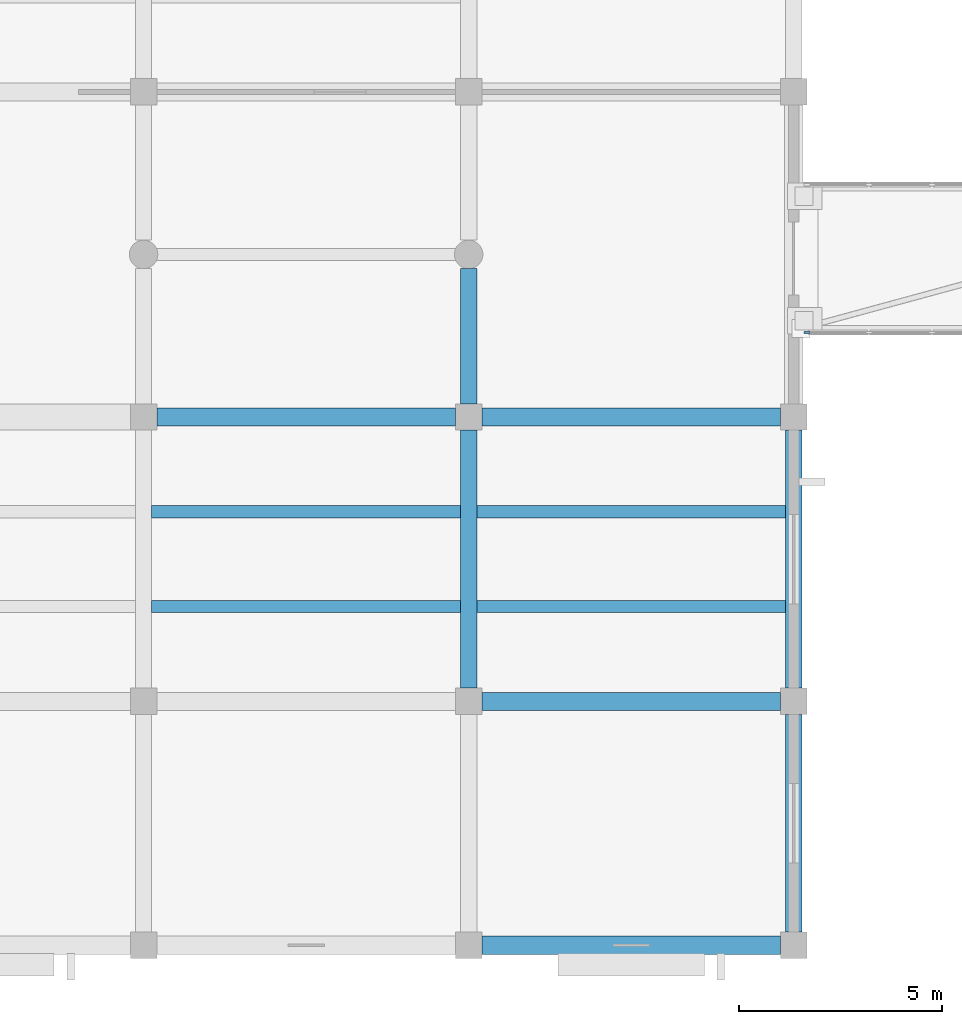
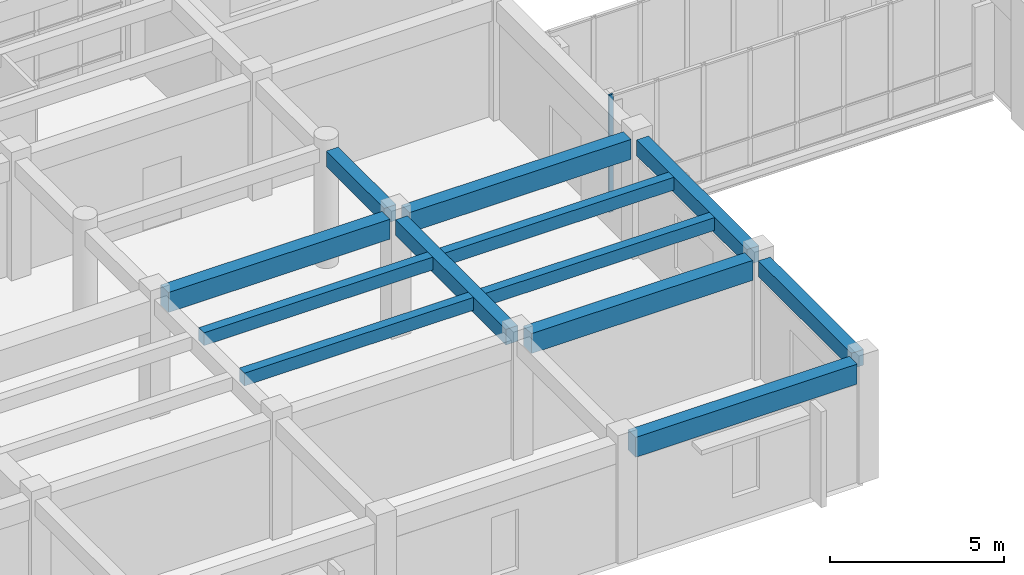
# One storey, part 19 of 70: 12 beams, 1 member, 1 element without a shape of its own.
"""IFC4 building model written with IfcOpenShell, lengths in metres."""

from ifc_helpers import new_model, si_unit, direction, frame, origin, origin_2d, place, context, subcontext, project, spatial, rectangle, extrude, material, layer, layer_set, material_profile, profile_set, type_object, element, aggregate, save


model = new_model("IFC4")

# Units and contexts
model_context = context("Model", 3, precision=1e-05, world=origin(), true_north=direction((0.0, 1.0)))
body_context = subcontext(model_context, "Body", "Model", "MODEL_VIEW")
ifc_project = project(units=[si_unit("LENGTHUNIT", "METRE"), si_unit("AREAUNIT", "SQUARE_METRE"), si_unit("VOLUMEUNIT", "CUBIC_METRE"), si_unit("PLANEANGLEUNIT", "RADIAN"), si_unit("MASSUNIT", "GRAM", prefix="KILO")], contexts=[model_context])

# Site, building, storey
site_placement = place(None, origin())
site = spatial("IfcSite", under=ifc_project, at=site_placement, CompositionType="ELEMENT")
building_placement = place(site_placement, origin())
building = spatial("IfcBuilding", under=site, at=building_placement, Name="Naurynzar Civic Courthouse", CompositionType="ELEMENT")
storey_placement = place(building_placement, frame((0.0, 0.0, 5.39990234375)))
storey = spatial("IfcBuildingStorey", under=building, at=storey_placement, Name="L02", CompositionType="ELEMENT", Elevation=5.39990234375)

# Beams
ifc_material_1 = material(Name="Concrete C40/50", Category="concrete")
ifc_material_profile_1 = material_profile(ifc_material_1, rectangle(XDim=0.300048828125, YDim=0.449951171875, at=origin_2d()), Name="RCJ 300x450")
ifc_profile_set_1 = profile_set([ifc_material_profile_1], Name="Concrete C40/50")
beam_type_1 = type_object("IfcBeamType", Name="BM-JST-300x450", PredefinedType="JOIST", material=ifc_profile_set_1)
for number, where, z_axis, x_axis, name in (
    (1, (101.199951171875, 12.333251953125, 3.93505859375), (1.0, 0.0, 0.0), (0.0, 1.0, 0.0), "V3 secondary rib 1406 L02"),
    (2, (101.199951171875, 14.666748046875, 3.93505859375), (1.0, 0.0, 0.0), (0.0, 1.0, 0.0), "V3 secondary rib 1407 L02"),
    (3, (109.199951171875, 12.333251953125, 3.93505859375), (1.0, 0.0, 0.0), (0.0, 1.0, 0.0), "V3 secondary rib 1408 L02"),
    (4, (109.199951171875, 14.666748046875, 3.93505859375), (1.0, 0.0, 0.0), (0.0, 1.0, 0.0), "V3 secondary rib 1409 L02"),
):
    element("IfcBeam", number, at=place(storey_placement, frame(where, z_axis=z_axis, x_axis=x_axis)), inside=storey, type_object=beam_type_1, Name=name, PredefinedType="JOIST", context=body_context, shape_type="SweptSolid", body=[
        extrude(rectangle(XDim=0.300048828125, YDim=0.449951171875, at=origin_2d()), origin(), (0.0, 0.0, 1.0), 7.60009765625),
    ])
ifc_material_2 = material(Name="Concrete C40/50", Category="concrete")
ifc_material_profile_2 = material_profile(ifc_material_2, rectangle(XDim=0.39990234375, YDim=0.550048828125, at=origin_2d()), Name="RCB 400x550")
ifc_profile_set_2 = profile_set([ifc_material_profile_2], Name="Concrete C40/50")
beam_type_2 = type_object("IfcBeamType", Name="BM-RC-400x550", PredefinedType="BEAM", material=ifc_profile_set_2)
beam_1_placement = place(storey_placement, frame((109.0, 10.324951171875, 3.885009765625), z_axis=(0.0, 1.0, 0.0), x_axis=(-1.0, 0.0, 0.0)))
element("IfcBeam", 5, at=beam_1_placement, inside=storey, type_object=beam_type_2, Name="V3 girder Y-1392 L02", PredefinedType="BEAM", context=body_context, shape_type="SweptSolid", body=[
    extrude(rectangle(XDim=0.39990234375, YDim=0.550048828125, at=origin_2d()), origin(), (0.0, 0.0, 1.0), 6.35009765625),
])
beam_2_placement = place(storey_placement, frame((109.0, 17.324951171875, 3.885009765625), z_axis=(0.0, 1.0, 0.0), x_axis=(-1.0, 0.0, 0.0)))
element("IfcBeam", 6, at=beam_2_placement, inside=storey, type_object=beam_type_2, Name="V3 girder Y-1393 L02", PredefinedType="BEAM", context=body_context, shape_type="SweptSolid", body=[
    extrude(rectangle(XDim=0.39990234375, YDim=0.550048828125, at=origin_2d()), origin(), (0.0, 0.0, 1.0), 3.324951171875),
])
beam_3_placement = place(storey_placement, frame((117.0, 4.324951171875, 3.885009765625), z_axis=(0.0, 1.0, 0.0), x_axis=(-1.0, 0.0, 0.0)))
element("IfcBeam", 7, at=beam_3_placement, inside=storey, type_object=beam_type_2, Name="V3 girder Y-1396 L02", PredefinedType="BEAM", context=body_context, shape_type="SweptSolid", body=[
    extrude(rectangle(XDim=0.39990234375, YDim=0.550048828125, at=origin_2d()), origin(), (0.0, 0.0, 1.0), 5.35009765625),
])
beam_4_placement = place(storey_placement, frame((117.0, 10.324951171875, 3.885009765625), z_axis=(0.0, 1.0, 0.0), x_axis=(-1.0, 0.0, 0.0)))
element("IfcBeam", 8, at=beam_4_placement, inside=storey, type_object=beam_type_2, Name="V3 girder Y-1397 L02", PredefinedType="BEAM", context=body_context, shape_type="SweptSolid", body=[
    extrude(rectangle(XDim=0.39990234375, YDim=0.550048828125, at=origin_2d()), origin(), (0.0, 0.0, 1.0), 6.35009765625),
])
ifc_material_3 = material(Name="Concrete C40/50", Category="concrete")
ifc_material_profile_3 = material_profile(ifc_material_3, rectangle(XDim=0.449951171875, YDim=0.699951171875, at=origin_2d()), Name="RCB 450x700")
ifc_profile_set_3 = profile_set([ifc_material_profile_3], Name="Concrete C40/50")
beam_type_3 = type_object("IfcBeamType", Name="BM-RC-450x700", PredefinedType="BEAM", material=ifc_profile_set_3)
for number, where, z_axis, x_axis, name in (
    (9, (109.324951171875, 4.0, 3.81005859375), (1.0, 0.0, 0.0), (0.0, 1.0, 0.0), "V3 beam X-1345 L02"),
    (10, (109.324951171875, 10.0, 3.81005859375), (1.0, 0.0, 0.0), (0.0, 1.0, 0.0), "V3 beam X-1351 L02"),
    (11, (101.324951171875, 17.0, 3.81005859375), (1.0, 0.0, 0.0), (0.0, 1.0, 0.0), "V3 beam X-1355 L02"),
    (12, (109.324951171875, 17.0, 3.81005859375), (1.0, 0.0, 0.0), (0.0, 1.0, 0.0), "V3 beam X-1356 L02"),
):
    element("IfcBeam", number, at=place(storey_placement, frame(where, z_axis=z_axis, x_axis=x_axis)), inside=storey, type_object=beam_type_3, Name=name, PredefinedType="BEAM", context=body_context, shape_type="SweptSolid", body=[
        extrude(rectangle(XDim=0.449951171875, YDim=0.699951171875, at=origin_2d()), origin(), (0.0, 0.0, 1.0), 7.35009765625),
    ])

# Curtain wall, member
ifc_material_4 = material(Name="Aluminium 6063-T6", Category="aluminium")
ifc_layer = layer(ifc_material_4, 0.14990234375)
ifc_layer_set = layer_set([ifc_layer], Name="CW-BRIDGE-1500")
curtain_wall_type = type_object("IfcCurtainWallType", Name="CW-BRIDGE-1500", PredefinedType="USERDEFINED", material=ifc_layer_set)
curtain_wall_placement = place(storey_placement, origin())
curtain_wall = element("IfcCurtainWall", 13, at=curtain_wall_placement, inside=storey, type_object=curtain_wall_type, Name="BR-E2 glazed bridge screen L02.1", ObjectType="GLAZED BRIDGE SCREEN", PredefinedType="USERDEFINED")
ifc_material_5 = material(Name="Aluminium 6063-T6", Category="aluminium")
ifc_material_profile_4 = material_profile(ifc_material_5, rectangle(XDim=0.06005859375, YDim=0.14990234375, at=origin_2d()), Name="ALU MULLION 60x150")
ifc_profile_set_4 = profile_set([ifc_material_profile_4], Name="Aluminium 6063-T6")
member_type = type_object("IfcMemberType", Name="CWM-60x150", PredefinedType="MULLION", material=ifc_profile_set_4)
member_placement = place(storey_placement, frame((117.330078125, 19.080078125, 0.0), z_axis=(0.0, 0.0, 1.0), x_axis=(0.0, 1.0, 0.0)))
member = element("IfcMember", 14, at=member_placement, type_object=member_type, Name="CW-03 mullion 1", PredefinedType="MULLION", context=body_context, shape_type="SweptSolid", body=[
    extrude(rectangle(XDim=0.06005859375, YDim=0.14990234375, at=origin_2d()), origin(), (0.0, 0.0, 1.0), 4.1201171875),
])
aggregate(curtain_wall, [member])

save(model, "model.ifc")
